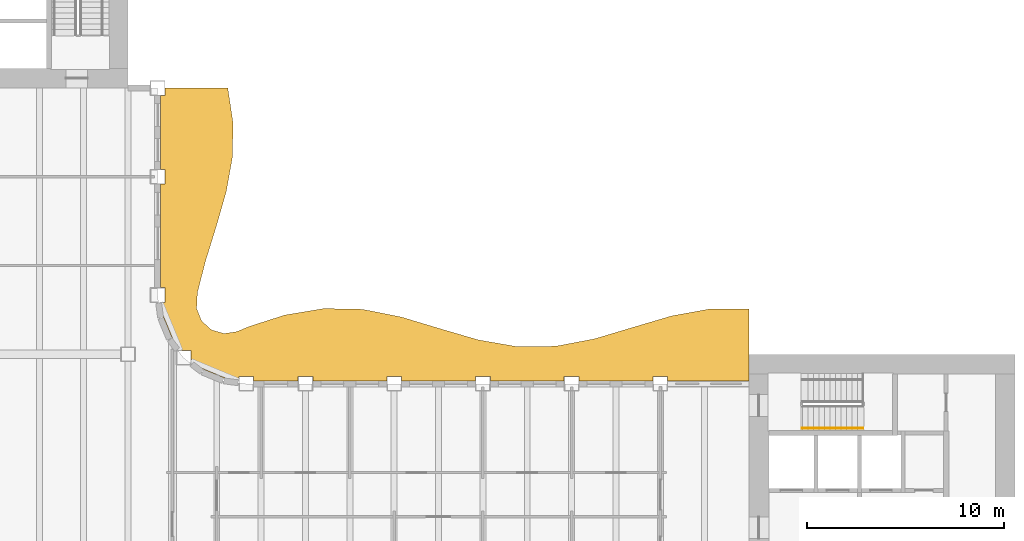
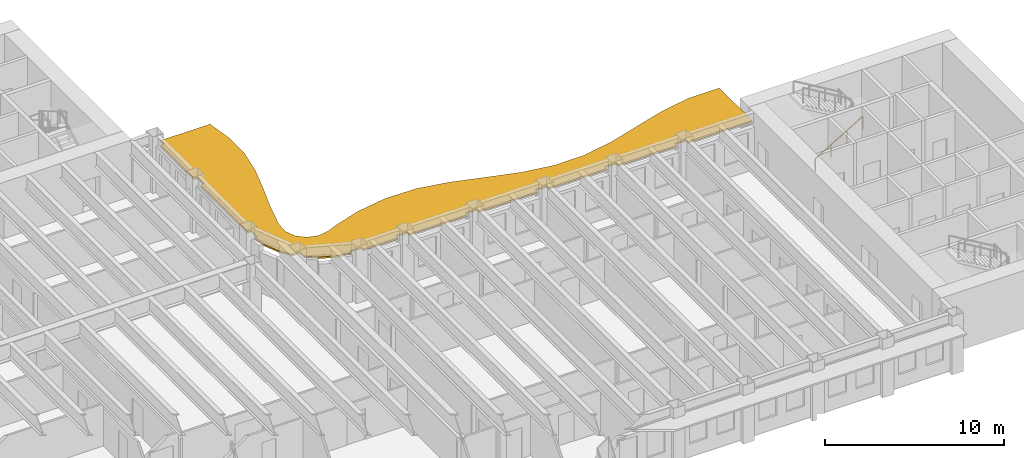
# One storey, part 15 of 17: 1 railing, 1 shading device.
"""IFC4 building model written with IfcOpenShell, lengths in metres."""

from ifc_helpers import new_model, si_unit, direction, frame, origin, origin_2d, place, context, subcontext, project, spatial, polyline, rectangle, outline, extrude, material, layer, layer_set, type_object, element, save


model = new_model("IFC4")

# Units and contexts
model_context = context("Model", 3, precision=1e-05, world=origin(), true_north=direction((0.0, 1.0)))
body_context = subcontext(model_context, "Body", "Model", "MODEL_VIEW")
ifc_project = project(units=[si_unit("LENGTHUNIT", "METRE"), si_unit("AREAUNIT", "SQUARE_METRE"), si_unit("VOLUMEUNIT", "CUBIC_METRE"), si_unit("PLANEANGLEUNIT", "RADIAN"), si_unit("MASSUNIT", "GRAM", prefix="KILO")], contexts=[model_context])

# Site, building, storey
site_placement = place(None, origin())
site = spatial("IfcSite", under=ifc_project, at=site_placement, CompositionType="ELEMENT")
building_placement = place(site_placement, origin())
building = spatial("IfcBuilding", under=site, at=building_placement, Name="Sennacour Bend Tower", CompositionType="ELEMENT")
storey_placement = place(building_placement, frame((0.0, 0.0, 203.0)))
storey = spatial("IfcBuildingStorey", under=building, at=storey_placement, Name="L46", CompositionType="ELEMENT", Elevation=203.0)

# Railing
ifc_material_1 = material(Name="Stainless steel", Category="steel")
railing_type = type_object("IfcRailingType", Name="RL-HANDRAIL-900", PredefinedType="HANDRAIL", material=ifc_material_1)
railing_placement = place(storey_placement, frame((56.699951171875, 18.75, 0.166748046875)))
element("IfcRailing", 1, at=railing_placement, inside=storey, type_object=railing_type, Name="L46 SA2 stair handrail 1", PredefinedType="HANDRAIL", context=body_context, shape_type="SweptSolid", body=[
    extrude(rectangle(XDim=0.048095703125, YDim=0.048095703125, at=origin_2d()), frame((0.0, 0.0, 0.8759765625), z_axis=(0.859308565015, 0.0, 0.511457515432), x_axis=(0.0, 1.0, 0.0)), (0.0, 0.0, 1.0), 3.58447265625),
    extrude(rectangle(XDim=0.0419921875, YDim=0.0419921875, at=origin_2d()), origin(), (0.0, 0.0, 1.0), 0.851806640625),
    extrude(rectangle(XDim=0.0419921875, YDim=0.0419921875, at=origin_2d()), frame((1.026611328125, 0.0, 0.611083984375)), (0.0, 0.0, 1.0), 0.851806640625),
    extrude(rectangle(XDim=0.0419921875, YDim=0.0419921875, at=origin_2d()), frame((2.053466796875, 0.0, 1.22216796875)), (0.0, 0.0, 1.0), 0.851806640625),
    extrude(rectangle(XDim=0.0419921875, YDim=0.0419921875, at=origin_2d()), frame((3.080078125, 0.0, 1.833251953125)), (0.0, 0.0, 1.0), 0.851806640625),
])

# Shading device
ifc_material_2 = material(Name="Bronze anodised aluminium", Category="aluminium")
ifc_layer = layer(ifc_material_2, 0.1201171875, Name="Bronze anodised aluminium", Category="aluminium")
ifc_layer_set = layer_set([ifc_layer], Name="Bronze anodised aluminium")
shading_device_type = type_object("IfcShadingDeviceType", Name="SUNSHADE BAND WAVE", PredefinedType="USERDEFINED", material=ifc_layer_set)
shading_device_placement = place(storey_placement, frame((0.0, 0.0, 3.037109375)))
element("IfcShadingDevice", 2, at=shading_device_placement, inside=storey, type_object=shading_device_type, Name="Sunshade band L46 concave faces", ObjectType="SUNSHADE", PredefinedType="USERDEFINED", context=body_context, shape_type="SweptSolid", body=[
    extrude(outline(polyline([(54.0, 21.14990234375), (49.875, 21.14990234375), (49.875, 21.375), (49.125, 21.375), (49.125, 21.14990234375), (45.375, 21.14990234375), (45.375, 21.375), (44.625, 21.375), (44.625, 21.14990234375), (40.875, 21.14990234375), (40.875, 21.375), (40.125, 21.375), (40.125, 21.14990234375), (36.375, 21.14990234375), (36.375, 21.375), (35.625, 21.375), (35.625, 21.14990234375), (31.875, 21.14990234375), (31.875, 21.375), (31.125, 21.375), (31.125, 21.14990234375), (28.875, 21.14990234375), (28.875, 21.375), (28.125, 21.375), (28.125, 21.20068359375), (27.37451171875, 21.299560546875), (26.32568359375, 21.73388671875), (25.693115234375, 22.21923828125), (25.693115234375, 22.693115234375), (25.21923828125, 22.693115234375), (24.73388671875, 23.32568359375), (24.299560546875, 24.37451171875), (24.20068359375, 25.125), (24.375, 25.125), (24.375, 25.875), (24.14990234375, 25.875), (24.14990234375, 31.125), (24.375, 31.125), (24.375, 31.875), (24.14990234375, 31.875), (24.14990234375, 35.625), (24.375, 35.625), (24.375, 36.0), (27.560791015625, 36.0), (27.82470703125, 34.25), (27.7958984375, 32.5), (27.482666015625, 30.75), (26.979248046875, 29.0), (26.43701171875, 27.25), (26.018798828125, 25.63232421875), (25.978515625, 24.824462890625), (26.2294921875, 24.189208984375), (26.73486328125, 23.73486328125), (27.37451171875, 23.55029296875), (28.0029296875, 23.645263671875), (28.69189453125, 23.926025390625), (30.46142578125, 24.4931640625), (32.423095703125, 24.819091796875), (34.384521484375, 24.78125), (36.34619140625, 24.394287109375), (38.3076171875, 23.802978515625), (40.269287109375, 23.2294921875), (42.230712890625, 22.888671875), (44.1923828125, 22.908447265625), (46.15380859375, 23.28125), (48.115478515625, 23.86767578125), (50.076904296875, 24.447265625), (52.03857421875, 24.802978515625), (54.0, 24.801025390625), (54.0, 21.14990234375)])), origin(), (0.0, 0.0, 1.0), 0.119873046875),
])

save(model, "model.ifc")
